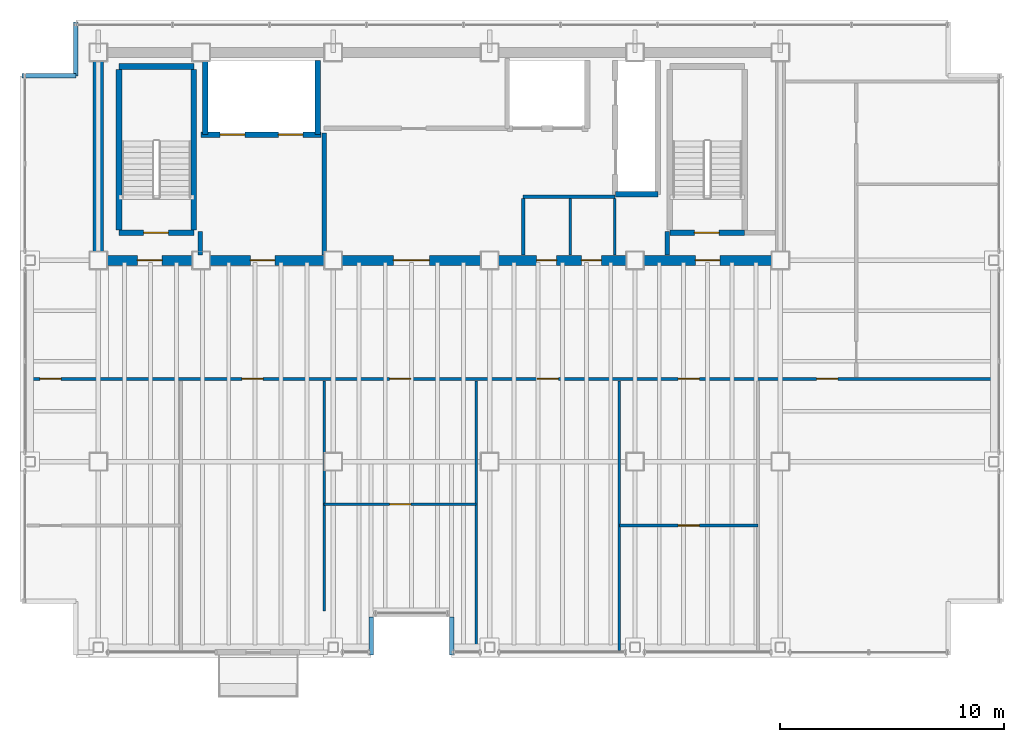
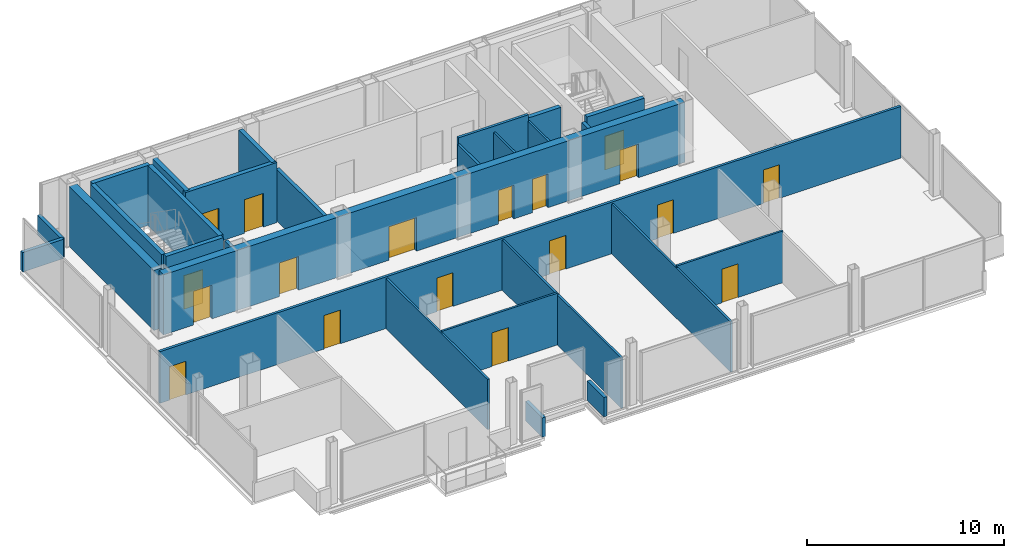
# One storey, part 13 of 15: 28 walls, 18 doors, 18 openings.
"""IFC4 building model written with IfcOpenShell, lengths in metres."""

from ifc_helpers import new_model, si_unit, direction, frame, frame_2d, origin, place, context, subcontext, project, spatial, rectangle, extrude, material, layer, layer_set, type_object, element, fill, save


model = new_model("IFC4")

# Units and contexts
model_context = context("Model", 3, precision=1e-05, world=origin(), true_north=direction((0.0, 1.0)))
body_context = subcontext(model_context, "Body", "Model", "MODEL_VIEW")
ifc_project = project(units=[si_unit("LENGTHUNIT", "METRE"), si_unit("AREAUNIT", "SQUARE_METRE"), si_unit("VOLUMEUNIT", "CUBIC_METRE"), si_unit("PLANEANGLEUNIT", "RADIAN"), si_unit("MASSUNIT", "GRAM", prefix="KILO")], contexts=[model_context])

# Site, building, storey
site_placement = place(None, origin())
site = spatial("IfcSite", under=ifc_project, at=site_placement, CompositionType="ELEMENT")
building_placement = place(site_placement, origin())
building = spatial("IfcBuilding", under=site, at=building_placement, Name="Noeulbin Bourse Tower", CompositionType="ELEMENT")
storey_placement = place(building_placement, frame((0.0, 0.0, 222.800048828125)))
storey = spatial("IfcBuildingStorey", under=building, at=storey_placement, Name="L55", CompositionType="ELEMENT", Elevation=222.800048828125)

# Wall, openings, doors
ifc_material_1 = material(Name="Concrete C50/60", Category="concrete")
ifc_layer_1 = layer(ifc_material_1, 0.449951171875)
ifc_layer_set_1 = layer_set([ifc_layer_1], Name="Concrete C50/60")
wall_type_1 = type_object("IfcWallType", Name="WAL-CORE-450", PredefinedType="SHEAR", material=ifc_layer_set_1)
wall_1_placement = place(storey_placement, frame((13.5, 29.0, 0.0), z_axis=(0.0, 0.0, 1.0), x_axis=(1.0, 0.0, 0.0)))
wall_1 = element("IfcWall", 1, at=wall_1_placement, inside=storey, type_object=wall_type_1, Name="Rear Core South Shear Wall L55", PredefinedType="SHEAR", context=body_context, shape_type="SweptSolid", body=[
    extrude(rectangle(XDim=30.5, YDim=0.449951171875, at=frame_2d((15.25, 0.0))), origin(), (0.0, 0.0, 1.0), 3.719970703125),
])
opening_1_placement = place(wall_1_placement, frame((1.75, 0.0, 0.0)))
opening_1 = element("IfcOpeningElement", 2, at=opening_1_placement, cuts=wall_1, Name="Opening FD-11", PredefinedType="OPENING", context=body_context, shape_type="SweptSolid", body=[
    extrude(rectangle(XDim=1.10009765625, YDim=2.080078125, at=frame_2d((0.550048828125, 1.0400390625))), frame((0.0, 0.23486328125, 0.0), z_axis=(0.0, -1.0, 0.0), x_axis=(1.0, 0.0, 0.0)), (0.0, 0.0, 1.0), 0.469970703125),
])
opening_2_placement = place(wall_1_placement, frame((26.699951171875, 0.0, 0.0)))
opening_2 = element("IfcOpeningElement", 3, at=opening_2_placement, cuts=wall_1, Name="Opening FD-11", PredefinedType="OPENING", context=body_context, shape_type="SweptSolid", body=[
    extrude(rectangle(XDim=1.10009765625, YDim=2.080078125, at=frame_2d((0.550048828125, 1.0400390625))), frame((0.0, 0.23486328125, 0.0), z_axis=(0.0, -1.0, 0.0), x_axis=(1.0, 0.0, 0.0)), (0.0, 0.0, 1.0), 0.469970703125),
])
opening_3_placement = place(wall_1_placement, frame((6.800048828125, 0.0, 0.0)))
opening_3 = element("IfcOpeningElement", 4, at=opening_3_placement, cuts=wall_1, Name="Opening FD-11", PredefinedType="OPENING", context=body_context, shape_type="SweptSolid", body=[
    extrude(rectangle(XDim=1.10009765625, YDim=2.080078125, at=frame_2d((0.550048828125, 1.0400390625))), frame((0.0, 0.23486328125, 0.0), z_axis=(0.0, -1.0, 0.0), x_axis=(1.0, 0.0, 0.0)), (0.0, 0.0, 1.0), 0.469970703125),
])
opening_4_placement = place(wall_1_placement, frame((13.199951171875, 0.0, 0.0)))
opening_4 = element("IfcOpeningElement", 5, at=opening_4_placement, cuts=wall_1, Name="Opening ID-16", PredefinedType="OPENING", context=body_context, shape_type="SweptSolid", body=[
    extrude(rectangle(XDim=1.60009765625, YDim=2.080078125, at=frame_2d((0.800048828125, 1.0400390625))), frame((0.0, 0.23486328125, 0.0), z_axis=(0.0, -1.0, 0.0), x_axis=(1.0, 0.0, 0.0)), (0.0, 0.0, 1.0), 0.469970703125),
])
opening_5_placement = place(wall_1_placement, frame((19.60009765625, 0.0, 0.0)))
opening_5 = element("IfcOpeningElement", 6, at=opening_5_placement, cuts=wall_1, Name="Opening FD-09", PredefinedType="OPENING", context=body_context, shape_type="SweptSolid", body=[
    extrude(rectangle(XDim=0.89990234375, YDim=2.080078125, at=frame_2d((0.449951171875, 1.0400390625))), frame((0.0, 0.23486328125, 0.0), z_axis=(0.0, -1.0, 0.0), x_axis=(1.0, 0.0, 0.0)), (0.0, 0.0, 1.0), 0.469970703125),
])
opening_6_placement = place(wall_1_placement, frame((21.60009765625, 0.0, 0.0)))
opening_6 = element("IfcOpeningElement", 7, at=opening_6_placement, cuts=wall_1, Name="Opening FD-09", PredefinedType="OPENING", context=body_context, shape_type="SweptSolid", body=[
    extrude(rectangle(XDim=0.89990234375, YDim=2.080078125, at=frame_2d((0.449951171875, 1.0400390625))), frame((0.0, 0.23486328125, 0.0), z_axis=(0.0, -1.0, 0.0), x_axis=(1.0, 0.0, 0.0)), (0.0, 0.0, 1.0), 0.469970703125),
])
ifc_material_2 = material(Name="Acoustic Glazed Aluminium", Category="aluminium")
door_type_1 = type_object("IfcDoorType", Name="DR-DBL-1600", OperationType="DOUBLE_DOOR_SINGLE_SWING", PredefinedType="DOOR", material=ifc_material_2)
door_1_placement = place(opening_4_placement, origin())
door_1 = element("IfcDoor", 8, at=door_1_placement, inside=storey, type_object=door_type_1, Name="Passenger Lift Lobby Portal L55", OperationType="DOUBLE_DOOR_SINGLE_SWING", OverallHeight=2.080078125, OverallWidth=1.60009765625, PredefinedType="DOOR", context=body_context, shape_type="SweptSolid", body=[
    extrude(rectangle(XDim=1.60009765625, YDim=2.080078125, at=frame_2d((0.800048828125, 1.0400390625))), frame((0.0, 0.02490234375, 0.0), z_axis=(0.0, -1.0, 0.0), x_axis=(1.0, 0.0, 0.0)), (0.0, 0.0, 1.0), 0.050048828125),
])
fill(opening_4, door_1)
ifc_material_3 = material(Name="Fire-Rated Timber Core", Category="wood")
door_type_2 = type_object("IfcDoorType", Name="DR-FD30-900", OperationType="SINGLE_SWING_RIGHT", PredefinedType="DOOR", material=ifc_material_3)
door_2_placement = place(opening_5_placement, origin())
door_2 = element("IfcDoor", 9, at=door_2_placement, inside=storey, type_object=door_type_2, Name="Interior Door L55-06", OperationType="SINGLE_SWING_LEFT", OverallHeight=2.080078125, OverallWidth=0.89990234375, PredefinedType="DOOR", context=body_context, shape_type="SweptSolid", body=[
    extrude(rectangle(XDim=0.89990234375, YDim=2.080078125, at=frame_2d((0.449951171875, 1.0400390625))), frame((0.0, 0.02490234375, 0.0), z_axis=(0.0, -1.0, 0.0), x_axis=(1.0, 0.0, 0.0)), (0.0, 0.0, 1.0), 0.050048828125),
])
fill(opening_5, door_2)
door_3_placement = place(opening_6_placement, origin())
door_3 = element("IfcDoor", 10, at=door_3_placement, inside=storey, type_object=door_type_2, Name="Interior Door L55-07", OperationType="SINGLE_SWING_RIGHT", OverallHeight=2.080078125, OverallWidth=0.89990234375, PredefinedType="DOOR", context=body_context, shape_type="SweptSolid", body=[
    extrude(rectangle(XDim=0.89990234375, YDim=2.080078125, at=frame_2d((0.449951171875, 1.0400390625))), frame((0.0, 0.02490234375, 0.0), z_axis=(0.0, -1.0, 0.0), x_axis=(1.0, 0.0, 0.0)), (0.0, 0.0, 1.0), 0.050048828125),
])
fill(opening_6, door_3)
ifc_material_4 = material(Name="Fire-Rated Insulated Steel", Category="steel")
door_type_3 = type_object("IfcDoorType", Name="DR-FD60-1100", OperationType="SINGLE_SWING_LEFT", PredefinedType="DOOR", material=ifc_material_4)
door_4_placement = place(opening_1_placement, origin())
door_4 = element("IfcDoor", 11, at=door_4_placement, inside=storey, type_object=door_type_3, Name="West Stair Lobby Door L55", OperationType="SINGLE_SWING_RIGHT", OverallHeight=2.080078125, OverallWidth=1.10009765625, PredefinedType="DOOR", context=body_context, shape_type="SweptSolid", body=[
    extrude(rectangle(XDim=1.10009765625, YDim=2.080078125, at=frame_2d((0.550048828125, 1.0400390625))), frame((0.0, 0.02490234375, 0.0), z_axis=(0.0, -1.0, 0.0), x_axis=(1.0, 0.0, 0.0)), (0.0, 0.0, 1.0), 0.050048828125),
])
fill(opening_1, door_4)
door_5_placement = place(opening_2_placement, origin())
door_5 = element("IfcDoor", 12, at=door_5_placement, inside=storey, type_object=door_type_3, Name="East Stair Lobby Door L55", OperationType="SINGLE_SWING_LEFT", OverallHeight=2.080078125, OverallWidth=1.10009765625, PredefinedType="DOOR", context=body_context, shape_type="SweptSolid", body=[
    extrude(rectangle(XDim=1.10009765625, YDim=2.080078125, at=frame_2d((0.550048828125, 1.0400390625))), frame((0.0, 0.02490234375, 0.0), z_axis=(0.0, -1.0, 0.0), x_axis=(1.0, 0.0, 0.0)), (0.0, 0.0, 1.0), 0.050048828125),
])
fill(opening_2, door_5)
door_6_placement = place(opening_3_placement, origin())
door_6 = element("IfcDoor", 13, at=door_6_placement, inside=storey, type_object=door_type_3, Name="Firefighting Lobby Door L55", OperationType="SINGLE_SWING_RIGHT", OverallHeight=2.080078125, OverallWidth=1.10009765625, PredefinedType="DOOR", context=body_context, shape_type="SweptSolid", body=[
    extrude(rectangle(XDim=1.10009765625, YDim=2.080078125, at=frame_2d((0.550048828125, 1.0400390625))), frame((0.0, 0.02490234375, 0.0), z_axis=(0.0, -1.0, 0.0), x_axis=(1.0, 0.0, 0.0)), (0.0, 0.0, 1.0), 0.050048828125),
])
fill(opening_3, door_6)

# Walls
wall_2_placement = place(storey_placement, frame((13.5, 29.35009765625, 0.0), z_axis=(0.0, 0.0, 1.0), x_axis=(0.0, 1.0, 0.0)))
element("IfcWall", 14, at=wall_2_placement, inside=storey, type_object=wall_type_1, Name="Rear Core West Shear Wall L55", PredefinedType="SHEAR", context=body_context, shape_type="SweptSolid", body=[
    extrude(rectangle(XDim=8.599853515625, YDim=0.449951171875, at=frame_2d((4.2998046875, 0.0))), origin(), (0.0, 0.0, 1.0), 3.719970703125),
])
ifc_material_5 = material(Name="Concrete C40/50", Category="concrete")
ifc_layer_2 = layer(ifc_material_5, 0.199951171875)
ifc_layer_set_2 = layer_set([ifc_layer_2], Name="Concrete C40/50")
wall_type_2 = type_object("IfcWallType", Name="WAL-FIRE-200", PredefinedType="STANDARD", material=ifc_layer_set_2)
for number, where, z_axis, x_axis, name in (
    (15, (18.050048828125, 29.235107421875, 0.0), (0.0, 0.0, 1.0), (0.0, 1.0, 0.0), "Interior Partition Wall L55-10"),
    (16, (38.949951171875, 29.235107421875, 0.0), (0.0, 0.0, 1.0), (0.0, 1.0, 0.0), "Interior Partition Wall L55-11"),
):
    element("IfcWall", number, at=place(storey_placement, frame(where, z_axis=z_axis, x_axis=x_axis)), inside=storey, type_object=wall_type_2, Name=name, PredefinedType="STANDARD", context=body_context, shape_type="SweptSolid", body=[
        extrude(rectangle(XDim=1.06494140625, YDim=0.199951171875, at=frame_2d((0.532470703125, 0.0))), origin(), (0.0, 0.0, 1.0), 3.349853515625),
    ])
wall_3_placement = place(storey_placement, frame((23.60009765625, 29.235107421875, 0.0), z_axis=(0.0, 0.0, 1.0), x_axis=(0.0, 1.0, 0.0)))
element("IfcWall", 17, at=wall_3_placement, inside=storey, type_object=wall_type_2, Name="Interior Partition Wall L55-12", PredefinedType="STANDARD", context=body_context, shape_type="SweptSolid", body=[
    extrude(rectangle(XDim=5.46484375, YDim=0.199951171875, at=frame_2d((2.732421875, 0.0))), origin(), (0.0, 0.0, 1.0), 3.199951171875),
])
ifc_layer_3 = layer(ifc_material_5, 0.199951171875)
ifc_layer_set_3 = layer_set([ifc_layer_3], Name="Concrete C40/50")
wall_type_3 = type_object("IfcWallType", Name="WAL-PAR-200", PredefinedType="PARAPET", material=ifc_layer_set_3)
for number, where, z_axis, x_axis, name in (
    (18, (10.10009765625, 37.25, 0.0), (0.0, 0.0, 1.0), (1.0, 0.0, 0.0), "Corner Notch Parapet L55-NW1"),
    (19, (12.5, 37.25, 0.0), (0.0, 0.0, 1.0), (0.0, 1.0, 0.0), "Corner Notch Parapet L55-NW2"),
):
    element("IfcWall", number, at=place(storey_placement, frame(where, z_axis=z_axis, x_axis=x_axis)), inside=storey, type_object=wall_type_3, Name=name, PredefinedType="PARAPET", context=body_context, shape_type="SweptSolid", body=[
        extrude(rectangle(XDim=2.39990234375, YDim=0.199951171875, at=frame_2d((1.199951171875, 0.0))), origin(), (0.0, 0.0, 1.0), 1.199951171875),
    ])
for number, where, z_axis, x_axis, name in (
    (20, (25.699951171875, 11.35009765625, 0.0), (0.0, 0.0, 1.0), (0.0, 1.0, 0.0), "Sky-Garden Recess Parapet L55-W"),
    (21, (29.300048828125, 13.050048828125, 0.0), (0.0, 0.0, 1.0), (0.0, -1.0, 0.0), "Sky-Garden Recess Parapet L55-E"),
):
    element("IfcWall", number, at=place(storey_placement, frame(where, z_axis=z_axis, x_axis=x_axis)), inside=storey, type_object=wall_type_3, Name=name, PredefinedType="PARAPET", context=body_context, shape_type="SweptSolid", body=[
        extrude(rectangle(XDim=1.699951171875, YDim=0.199951171875, at=frame_2d((0.85009765625, 0.0))), origin(), (0.0, 0.0, 1.0), 1.199951171875),
    ])

# Wall, opening, door
ifc_material_6 = material(Name="Steel Stud Gypsum Partition", Category="steel")
ifc_layer_4 = layer(ifc_material_6, 0.1201171875)
ifc_layer_set_4 = layer_set([ifc_layer_4], Name="Steel Stud Gypsum Partition")
wall_type_4 = type_object("IfcWallType", Name="WAL-PRT-120", PredefinedType="PARTITIONING", material=ifc_layer_set_4)
wall_4_placement = place(storey_placement, frame((23.60009765625, 18.094970703125, 0.0), z_axis=(0.0, 0.0, 1.0), x_axis=(1.0, 0.0, 0.0)))
wall_4 = element("IfcWall", 22, at=wall_4_placement, inside=storey, type_object=wall_type_4, Name="Interior Partition Wall L55-07", PredefinedType="PARTITIONING", context=body_context, shape_type="SweptSolid", body=[
    extrude(rectangle(XDim=6.7998046875, YDim=0.1201171875, at=frame_2d((3.39990234375, 0.0))), origin(), (0.0, 0.0, 1.0), 3.199951171875),
])
opening_7_placement = place(wall_4_placement, frame((2.925048828125, 0.0, 0.0)))
opening_7 = element("IfcOpeningElement", 23, at=opening_7_placement, cuts=wall_4, Name="Opening ID-09", PredefinedType="OPENING", context=body_context, shape_type="SweptSolid", body=[
    extrude(rectangle(XDim=0.949951171875, YDim=2.080078125, at=frame_2d((0.47509765625, 1.0400390625))), frame((0.0, 0.070068359375, 0.0), z_axis=(0.0, -1.0, 0.0), x_axis=(1.0, 0.0, 0.0)), (0.0, 0.0, 1.0), 0.14013671875),
])
ifc_material_7 = material(Name="Acoustic Solid-Core Timber", Category="wood")
door_type_4 = type_object("IfcDoorType", Name="DR-SINGLE-950", OperationType="SINGLE_SWING_LEFT", PredefinedType="DOOR", material=ifc_material_7)
door_7_placement = place(opening_7_placement, origin())
door_7 = element("IfcDoor", 24, at=door_7_placement, inside=storey, type_object=door_type_4, Name="Interior Door L55-11", OperationType="SINGLE_SWING_RIGHT", OverallHeight=2.080078125, OverallWidth=0.949951171875, PredefinedType="DOOR", context=body_context, shape_type="SweptSolid", body=[
    extrude(rectangle(XDim=0.949951171875, YDim=2.080078125, at=frame_2d((0.47509765625, 1.0400390625))), frame((0.0, 0.02490234375, 0.0), z_axis=(0.0, -1.0, 0.0), x_axis=(1.0, 0.0, 0.0)), (0.0, 0.0, 1.0), 0.050048828125),
])
fill(opening_7, door_7)

wall_5_placement = place(storey_placement, frame((36.800048828125, 17.14404296875, 0.0), z_axis=(0.0, 0.0, 1.0), x_axis=(1.0, 0.0, 0.0)))
wall_5 = element("IfcWall", 25, at=wall_5_placement, inside=storey, type_object=wall_type_4, Name="Interior Partition Wall L55-08", PredefinedType="PARTITIONING", context=body_context, shape_type="SweptSolid", body=[
    extrude(rectangle(XDim=6.199951171875, YDim=0.1201171875, at=frame_2d((3.10009765625, 0.0))), origin(), (0.0, 0.0, 1.0), 3.199951171875),
])
opening_8_placement = place(wall_5_placement, frame((2.625, 0.0, 0.0)))
opening_8 = element("IfcOpeningElement", 26, at=opening_8_placement, cuts=wall_5, Name="Opening ID-09", PredefinedType="OPENING", context=body_context, shape_type="SweptSolid", body=[
    extrude(rectangle(XDim=0.949951171875, YDim=2.080078125, at=frame_2d((0.47509765625, 1.0400390625))), frame((0.0, 0.070068359375, 0.0), z_axis=(0.0, -1.0, 0.0), x_axis=(1.0, 0.0, 0.0)), (0.0, 0.0, 1.0), 0.14013671875),
])
door_8_placement = place(opening_8_placement, origin())
door_8 = element("IfcDoor", 27, at=door_8_placement, inside=storey, type_object=door_type_4, Name="Interior Door L55-14", OperationType="SINGLE_SWING_LEFT", OverallHeight=2.080078125, OverallWidth=0.949951171875, PredefinedType="DOOR", context=body_context, shape_type="SweptSolid", body=[
    extrude(rectangle(XDim=0.949951171875, YDim=2.080078125, at=frame_2d((0.47509765625, 1.0400390625))), frame((0.0, 0.02490234375, 0.0), z_axis=(0.0, -1.0, 0.0), x_axis=(1.0, 0.0, 0.0)), (0.0, 0.0, 1.0), 0.050048828125),
])
fill(opening_8, door_8)

# Walls
for number, where, z_axis, x_axis, name in (
    (28, (36.60009765625, 29.235107421875, 0.0), (0.0, 0.0, 1.0), (0.0, 1.0, 0.0), "Interior Partition Wall L55-14"),
    (29, (34.60009765625, 29.235107421875, 0.0), (0.0, 0.0, 1.0), (0.0, 1.0, 0.0), "Interior Partition Wall L55-15"),
):
    element("IfcWall", number, at=place(storey_placement, frame(where, z_axis=z_axis, x_axis=x_axis)), inside=storey, type_object=wall_type_4, Name=name, PredefinedType="PARTITIONING", context=body_context, shape_type="SweptSolid", body=[
        extrude(rectangle(XDim=2.52978515625, YDim=0.1201171875, at=frame_2d((1.264892578125, 0.0))), origin(), (0.0, 0.0, 1.0), 3.349853515625),
    ])
wall_6_placement = place(storey_placement, frame((23.60009765625, 13.320068359375, 0.0), z_axis=(0.0, 0.0, 1.0), x_axis=(0.0, 1.0, 0.0)))
element("IfcWall", 30, at=wall_6_placement, inside=storey, type_object=wall_type_4, Name="Interior Partition Wall L55-18", PredefinedType="PARTITIONING", context=body_context, shape_type="SweptSolid", body=[
    extrude(rectangle(XDim=10.294921875, YDim=0.1201171875, at=frame_2d((5.1474609375, 0.0))), origin(), (0.0, 0.0, 1.0), 3.099853515625),
])
for number, where, z_axis, x_axis, name in (
    (31, (30.39990234375, 11.56005859375, 0.0), (0.0, 0.0, 1.0), (0.0, 1.0, 0.0), "Interior Partition Wall L55-19"),
    (32, (36.800048828125, 11.56005859375, 0.0), (0.0, 0.0, 1.0), (0.0, 1.0, 0.0), "Interior Partition Wall L55-20"),
):
    element("IfcWall", number, at=place(storey_placement, frame(where, z_axis=z_axis, x_axis=x_axis)), inside=storey, type_object=wall_type_4, Name=name, PredefinedType="PARTITIONING", context=body_context, shape_type="SweptSolid", body=[
        extrude(rectangle(XDim=12.054931640625, YDim=0.1201171875, at=frame_2d((6.02734375, 0.0))), origin(), (0.0, 0.0, 1.0), 3.099853515625),
    ])
ifc_material_8 = material(Name="Steel Stud Acoustic Gypsum Board", Category="steel")
ifc_layer_5 = layer(ifc_material_8, 0.14990234375)
ifc_layer_set_5 = layer_set([ifc_layer_5], Name="Steel Stud Acoustic Gypsum Board")
wall_type_5 = type_object("IfcWallType", Name="WAL-PRT-150", PredefinedType="PARTITIONING", material=ifc_layer_set_5)
wall_7_placement = place(storey_placement, frame((32.5, 31.85009765625, 0.0), z_axis=(0.0, 0.0, 1.0), x_axis=(1.0, 0.0, 0.0)))
element("IfcWall", 33, at=wall_7_placement, inside=storey, type_object=wall_type_5, Name="Interior Partition Wall L55-03", PredefinedType="PARTITIONING", context=body_context, shape_type="SweptSolid", body=[
    extrude(rectangle(XDim=4.10009765625, YDim=0.14990234375, at=frame_2d((2.050048828125, 0.0))), origin(), (0.0, 0.0, 1.0), 3.719970703125),
])

# Wall, openings, doors
wall_8_placement = place(storey_placement, frame((10.31005859375, 23.699951171875, 0.0), z_axis=(0.0, 0.0, 1.0), x_axis=(1.0, 0.0, 0.0)))
wall_8 = element("IfcWall", 34, at=wall_8_placement, inside=storey, type_object=wall_type_5, Name="Interior Partition Wall L55-04", PredefinedType="PARTITIONING", context=body_context, shape_type="SweptSolid", body=[
    extrude(rectangle(XDim=43.3798828125, YDim=0.14990234375, at=frame_2d((21.68994140625, 0.0))), origin(), (0.0, 0.0, 1.0), 3.199951171875),
])
opening_9_placement = place(wall_8_placement, frame((0.574951171875, 0.0, 0.0)))
opening_9 = element("IfcOpeningElement", 35, at=opening_9_placement, cuts=wall_8, Name="Opening ID-09", PredefinedType="OPENING", context=body_context, shape_type="SweptSolid", body=[
    extrude(rectangle(XDim=0.949951171875, YDim=2.080078125, at=frame_2d((0.47509765625, 1.0400390625))), frame((0.0, 0.0849609375, 0.0), z_axis=(0.0, -1.0, 0.0), x_axis=(1.0, 0.0, 0.0)), (0.0, 0.0, 1.0), 0.169921875),
])
opening_10_placement = place(wall_8_placement, frame((9.614990234375, 0.0, 0.0)))
opening_10 = element("IfcOpeningElement", 36, at=opening_10_placement, cuts=wall_8, Name="Opening ID-09", PredefinedType="OPENING", context=body_context, shape_type="SweptSolid", body=[
    extrude(rectangle(XDim=0.949951171875, YDim=2.080078125, at=frame_2d((0.47509765625, 1.0400390625))), frame((0.0, 0.0849609375, 0.0), z_axis=(0.0, -1.0, 0.0), x_axis=(1.0, 0.0, 0.0)), (0.0, 0.0, 1.0), 0.169921875),
])
opening_11_placement = place(wall_8_placement, frame((16.215087890625, 0.0, 0.0)))
opening_11 = element("IfcOpeningElement", 37, at=opening_11_placement, cuts=wall_8, Name="Opening ID-09", PredefinedType="OPENING", context=body_context, shape_type="SweptSolid", body=[
    extrude(rectangle(XDim=0.949951171875, YDim=2.080078125, at=frame_2d((0.47509765625, 1.0400390625))), frame((0.0, 0.0849609375, 0.0), z_axis=(0.0, -1.0, 0.0), x_axis=(1.0, 0.0, 0.0)), (0.0, 0.0, 1.0), 0.169921875),
])
opening_12_placement = place(wall_8_placement, frame((22.81494140625, 0.0, 0.0)))
opening_12 = element("IfcOpeningElement", 38, at=opening_12_placement, cuts=wall_8, Name="Opening ID-09", PredefinedType="OPENING", context=body_context, shape_type="SweptSolid", body=[
    extrude(rectangle(XDim=0.949951171875, YDim=2.080078125, at=frame_2d((0.47509765625, 1.0400390625))), frame((0.0, 0.0849609375, 0.0), z_axis=(0.0, -1.0, 0.0), x_axis=(1.0, 0.0, 0.0)), (0.0, 0.0, 1.0), 0.169921875),
])
opening_13_placement = place(wall_8_placement, frame((29.114990234375, 0.0, 0.0)))
opening_13 = element("IfcOpeningElement", 39, at=opening_13_placement, cuts=wall_8, Name="Opening ID-09", PredefinedType="OPENING", context=body_context, shape_type="SweptSolid", body=[
    extrude(rectangle(XDim=0.949951171875, YDim=2.080078125, at=frame_2d((0.47509765625, 1.0400390625))), frame((0.0, 0.0849609375, 0.0), z_axis=(0.0, -1.0, 0.0), x_axis=(1.0, 0.0, 0.0)), (0.0, 0.0, 1.0), 0.169921875),
])
opening_14_placement = place(wall_8_placement, frame((35.31494140625, 0.0, 0.0)))
opening_14 = element("IfcOpeningElement", 40, at=opening_14_placement, cuts=wall_8, Name="Opening ID-09", PredefinedType="OPENING", context=body_context, shape_type="SweptSolid", body=[
    extrude(rectangle(XDim=0.949951171875, YDim=2.080078125, at=frame_2d((0.47509765625, 1.0400390625))), frame((0.0, 0.0849609375, 0.0), z_axis=(0.0, -1.0, 0.0), x_axis=(1.0, 0.0, 0.0)), (0.0, 0.0, 1.0), 0.169921875),
])
door_9_placement = place(opening_9_placement, origin())
door_9 = element("IfcDoor", 41, at=door_9_placement, inside=storey, type_object=door_type_4, Name="Interior Door L55-09", OperationType="SINGLE_SWING_RIGHT", OverallHeight=2.080078125, OverallWidth=0.949951171875, PredefinedType="DOOR", context=body_context, shape_type="SweptSolid", body=[
    extrude(rectangle(XDim=0.949951171875, YDim=2.080078125, at=frame_2d((0.47509765625, 1.0400390625))), frame((0.0, 0.02490234375, 0.0), z_axis=(0.0, -1.0, 0.0), x_axis=(1.0, 0.0, 0.0)), (0.0, 0.0, 1.0), 0.050048828125),
])
fill(opening_9, door_9)
door_10_placement = place(opening_10_placement, origin())
door_10 = element("IfcDoor", 42, at=door_10_placement, inside=storey, type_object=door_type_4, Name="Interior Door L55-10", OperationType="SINGLE_SWING_LEFT", OverallHeight=2.080078125, OverallWidth=0.949951171875, PredefinedType="DOOR", context=body_context, shape_type="SweptSolid", body=[
    extrude(rectangle(XDim=0.949951171875, YDim=2.080078125, at=frame_2d((0.47509765625, 1.0400390625))), frame((0.0, 0.02490234375, 0.0), z_axis=(0.0, -1.0, 0.0), x_axis=(1.0, 0.0, 0.0)), (0.0, 0.0, 1.0), 0.050048828125),
])
fill(opening_10, door_10)
door_11_placement = place(opening_11_placement, origin())
door_11 = element("IfcDoor", 43, at=door_11_placement, inside=storey, type_object=door_type_4, Name="Interior Door L55-12", OperationType="SINGLE_SWING_LEFT", OverallHeight=2.080078125, OverallWidth=0.949951171875, PredefinedType="DOOR", context=body_context, shape_type="SweptSolid", body=[
    extrude(rectangle(XDim=0.949951171875, YDim=2.080078125, at=frame_2d((0.47509765625, 1.0400390625))), frame((0.0, 0.02490234375, 0.0), z_axis=(0.0, -1.0, 0.0), x_axis=(1.0, 0.0, 0.0)), (0.0, 0.0, 1.0), 0.050048828125),
])
fill(opening_11, door_11)
door_12_placement = place(opening_12_placement, origin())
door_12 = element("IfcDoor", 44, at=door_12_placement, inside=storey, type_object=door_type_4, Name="Interior Door L55-13", OperationType="SINGLE_SWING_RIGHT", OverallHeight=2.080078125, OverallWidth=0.949951171875, PredefinedType="DOOR", context=body_context, shape_type="SweptSolid", body=[
    extrude(rectangle(XDim=0.949951171875, YDim=2.080078125, at=frame_2d((0.47509765625, 1.0400390625))), frame((0.0, 0.02490234375, 0.0), z_axis=(0.0, -1.0, 0.0), x_axis=(1.0, 0.0, 0.0)), (0.0, 0.0, 1.0), 0.050048828125),
])
fill(opening_12, door_12)
door_13_placement = place(opening_13_placement, origin())
door_13 = element("IfcDoor", 45, at=door_13_placement, inside=storey, type_object=door_type_4, Name="Interior Door L55-15", OperationType="SINGLE_SWING_RIGHT", OverallHeight=2.080078125, OverallWidth=0.949951171875, PredefinedType="DOOR", context=body_context, shape_type="SweptSolid", body=[
    extrude(rectangle(XDim=0.949951171875, YDim=2.080078125, at=frame_2d((0.47509765625, 1.0400390625))), frame((0.0, 0.02490234375, 0.0), z_axis=(0.0, -1.0, 0.0), x_axis=(1.0, 0.0, 0.0)), (0.0, 0.0, 1.0), 0.050048828125),
])
fill(opening_13, door_13)
door_14_placement = place(opening_14_placement, origin())
door_14 = element("IfcDoor", 46, at=door_14_placement, inside=storey, type_object=door_type_4, Name="Interior Door L55-16", OperationType="SINGLE_SWING_LEFT", OverallHeight=2.080078125, OverallWidth=0.949951171875, PredefinedType="DOOR", context=body_context, shape_type="SweptSolid", body=[
    extrude(rectangle(XDim=0.949951171875, YDim=2.080078125, at=frame_2d((0.47509765625, 1.0400390625))), frame((0.0, 0.02490234375, 0.0), z_axis=(0.0, -1.0, 0.0), x_axis=(1.0, 0.0, 0.0)), (0.0, 0.0, 1.0), 0.050048828125),
])
fill(opening_14, door_14)

# Wall
wall_9_placement = place(storey_placement, frame((32.5, 29.235107421875, 0.0), z_axis=(0.0, 0.0, 1.0), x_axis=(0.0, 1.0, 0.0)))
element("IfcWall", 47, at=wall_9_placement, inside=storey, type_object=wall_type_5, Name="Interior Partition Wall L55-13", PredefinedType="PARTITIONING", context=body_context, shape_type="SweptSolid", body=[
    extrude(rectangle(XDim=2.52978515625, YDim=0.14990234375, at=frame_2d((1.264892578125, 0.0))), origin(), (0.0, 0.0, 1.0), 3.349853515625),
])

# Wall, opening, door
ifc_layer_6 = layer(ifc_material_5, 0.25)
ifc_layer_set_6 = layer_set([ifc_layer_6], Name="Concrete C40/50")
wall_type_6 = type_object("IfcWallType", Name="WAL-SHFT-250", PredefinedType="STANDARD", material=ifc_layer_set_6)
wall_10_placement = place(storey_placement, frame((14.429931640625, 30.235107421875, 0.0), z_axis=(0.0, 0.0, 1.0), x_axis=(1.0, 0.0, 0.0)))
wall_10 = element("IfcWall", 48, at=wall_10_placement, inside=storey, type_object=wall_type_6, Name="Stair ST-1 South Shaft Wall L55", PredefinedType="STANDARD", context=body_context, shape_type="SweptSolid", body=[
    extrude(rectangle(XDim=3.340087890625, YDim=0.25, at=frame_2d((1.669921875, 0.0))), origin(), (0.0, 0.0, 1.0), 3.719970703125),
])
opening_15_placement = place(wall_10_placement, frame((1.10009765625, 0.0, 0.0)))
opening_15 = element("IfcOpeningElement", 49, at=opening_15_placement, cuts=wall_10, Name="Opening FD-11", PredefinedType="OPENING", context=body_context, shape_type="SweptSolid", body=[
    extrude(rectangle(XDim=1.10009765625, YDim=2.080078125, at=frame_2d((0.550048828125, 1.0400390625))), frame((0.0, 0.135009765625, 0.0), z_axis=(0.0, -1.0, 0.0), x_axis=(1.0, 0.0, 0.0)), (0.0, 0.0, 1.0), 0.27001953125),
])
door_15_placement = place(opening_15_placement, origin())
door_15 = element("IfcDoor", 50, at=door_15_placement, inside=storey, type_object=door_type_3, Name="Protected Stair Entry Door ST1-L55", OperationType="SINGLE_SWING_RIGHT", OverallHeight=2.080078125, OverallWidth=1.10009765625, PredefinedType="DOOR", context=body_context, shape_type="SweptSolid", body=[
    extrude(rectangle(XDim=1.10009765625, YDim=2.080078125, at=frame_2d((0.550048828125, 1.0400390625))), frame((0.0, 0.02490234375, 0.0), z_axis=(0.0, -1.0, 0.0), x_axis=(1.0, 0.0, 0.0)), (0.0, 0.0, 1.0), 0.050048828125),
])
fill(opening_15, door_15)

# Walls
wall_11_placement = place(storey_placement, frame((14.429931640625, 37.6689453125, 0.0), z_axis=(0.0, 0.0, 1.0), x_axis=(1.0, 0.0, 0.0)))
element("IfcWall", 51, at=wall_11_placement, inside=storey, type_object=wall_type_6, Name="Stair ST-1 North Shaft Wall L55", PredefinedType="STANDARD", context=body_context, shape_type="SweptSolid", body=[
    extrude(rectangle(XDim=3.340087890625, YDim=0.25, at=frame_2d((1.669921875, 0.0))), origin(), (0.0, 0.0, 1.0), 3.719970703125),
])
for number, where, z_axis, x_axis, name in (
    (52, (14.425048828125, 30.360107421875, 0.0), (0.0, 0.0, 1.0), (0.0, 1.0, 0.0), "Stair ST-1 West Shaft Wall L55"),
    (53, (17.77490234375, 30.360107421875, 0.0), (0.0, 0.0, 1.0), (0.0, 1.0, 0.0), "Stair ST-1 East Shaft Wall L55"),
):
    element("IfcWall", number, at=place(storey_placement, frame(where, z_axis=z_axis, x_axis=x_axis)), inside=storey, type_object=wall_type_6, Name=name, PredefinedType="STANDARD", context=body_context, shape_type="SweptSolid", body=[
        extrude(rectangle(XDim=7.183837890625, YDim=0.25, at=frame_2d((3.591796875, 0.0))), origin(), (0.0, 0.0, 1.0), 3.719970703125),
    ])

# Wall, opening, door
wall_12_placement = place(storey_placement, frame((39.06005859375, 30.235107421875, 0.0), z_axis=(0.0, 0.0, 1.0), x_axis=(1.0, 0.0, 0.0)))
wall_12 = element("IfcWall", 54, at=wall_12_placement, inside=storey, type_object=wall_type_6, Name="Stair ST-2 South Shaft Wall L55", PredefinedType="STANDARD", context=body_context, shape_type="SweptSolid", body=[
    extrude(rectangle(XDim=3.33984375, YDim=0.25, at=frame_2d((1.669921875, 0.0))), origin(), (0.0, 0.0, 1.0), 3.719970703125),
])
opening_16_placement = place(wall_12_placement, frame((1.10009765625, 0.0, 0.0)))
opening_16 = element("IfcOpeningElement", 55, at=opening_16_placement, cuts=wall_12, Name="Opening FD-11", PredefinedType="OPENING", context=body_context, shape_type="SweptSolid", body=[
    extrude(rectangle(XDim=1.10009765625, YDim=2.080078125, at=frame_2d((0.550048828125, 1.0400390625))), frame((0.0, 0.135009765625, 0.0), z_axis=(0.0, -1.0, 0.0), x_axis=(1.0, 0.0, 0.0)), (0.0, 0.0, 1.0), 0.27001953125),
])
door_16_placement = place(opening_16_placement, origin())
door_16 = element("IfcDoor", 56, at=door_16_placement, inside=storey, type_object=door_type_3, Name="Protected Stair Entry Door ST2-L55", OperationType="SINGLE_SWING_LEFT", OverallHeight=2.080078125, OverallWidth=1.10009765625, PredefinedType="DOOR", context=body_context, shape_type="SweptSolid", body=[
    extrude(rectangle(XDim=1.10009765625, YDim=2.080078125, at=frame_2d((0.550048828125, 1.0400390625))), frame((0.0, 0.02490234375, 0.0), z_axis=(0.0, -1.0, 0.0), x_axis=(1.0, 0.0, 0.0)), (0.0, 0.0, 1.0), 0.050048828125),
])
fill(opening_16, door_16)

# Wall, openings, doors
wall_13_placement = place(storey_placement, frame((18.10009765625, 34.6201171875, 0.0), z_axis=(0.0, 0.0, 1.0), x_axis=(1.0, 0.0, 0.0)))
wall_13 = element("IfcWall", 57, at=wall_13_placement, inside=storey, type_object=wall_type_6, Name="Firefighting Lift Shaft Front L55", PredefinedType="STANDARD", context=body_context, shape_type="SweptSolid", body=[
    extrude(rectangle(XDim=5.349853515625, YDim=0.25, at=frame_2d((2.6748046875, 0.0))), origin(), (0.0, 0.0, 1.0), 3.719970703125),
])
opening_17_placement = place(wall_13_placement, frame((0.85009765625, 0.0, 0.0)))
opening_17 = element("IfcOpeningElement", 58, at=opening_17_placement, cuts=wall_13, Name="Opening LD-11", PredefinedType="OPENING", context=body_context, shape_type="SweptSolid", body=[
    extrude(rectangle(XDim=1.10009765625, YDim=2.080078125, at=frame_2d((0.550048828125, 1.0400390625))), frame((0.0, 0.135009765625, 0.0), z_axis=(0.0, -1.0, 0.0), x_axis=(1.0, 0.0, 0.0)), (0.0, 0.0, 1.0), 0.27001953125),
])
opening_18_placement = place(wall_13_placement, frame((3.449951171875, 0.0, 0.0)))
opening_18 = element("IfcOpeningElement", 59, at=opening_18_placement, cuts=wall_13, Name="Opening LD-11", PredefinedType="OPENING", context=body_context, shape_type="SweptSolid", body=[
    extrude(rectangle(XDim=1.10009765625, YDim=2.080078125, at=frame_2d((0.550048828125, 1.0400390625))), frame((0.0, 0.135009765625, 0.0), z_axis=(0.0, -1.0, 0.0), x_axis=(1.0, 0.0, 0.0)), (0.0, 0.0, 1.0), 0.27001953125),
])
ifc_material_9 = material(Name="Brushed Stainless Steel 316", Category="steel")
door_type_5 = type_object("IfcDoorType", Name="DR-LIFT-1100", OperationType="SLIDING_TO_LEFT", PredefinedType="DOOR", material=ifc_material_9)
door_17_placement = place(opening_17_placement, origin())
door_17 = element("IfcDoor", 60, at=door_17_placement, inside=storey, type_object=door_type_5, Name="Lift Landing Door LD-FL-01-L55", OperationType="SLIDING_TO_LEFT", OverallHeight=2.080078125, OverallWidth=1.10009765625, PredefinedType="DOOR", context=body_context, shape_type="SweptSolid", body=[
    extrude(rectangle(XDim=1.10009765625, YDim=2.080078125, at=frame_2d((0.550048828125, 1.0400390625))), frame((0.0, 0.02490234375, 0.0), z_axis=(0.0, -1.0, 0.0), x_axis=(1.0, 0.0, 0.0)), (0.0, 0.0, 1.0), 0.050048828125),
])
fill(opening_17, door_17)
door_18_placement = place(opening_18_placement, origin())
door_18 = element("IfcDoor", 61, at=door_18_placement, inside=storey, type_object=door_type_5, Name="Lift Landing Door LD-FL-02-L55", OperationType="SLIDING_TO_LEFT", OverallHeight=2.080078125, OverallWidth=1.10009765625, PredefinedType="DOOR", context=body_context, shape_type="SweptSolid", body=[
    extrude(rectangle(XDim=1.10009765625, YDim=2.080078125, at=frame_2d((0.550048828125, 1.0400390625))), frame((0.0, 0.02490234375, 0.0), z_axis=(0.0, -1.0, 0.0), x_axis=(1.0, 0.0, 0.0)), (0.0, 0.0, 1.0), 0.050048828125),
])
fill(opening_18, door_18)

# Walls
wall_14_placement = place(storey_placement, frame((36.6201171875, 31.949951171875, 0.0), z_axis=(0.0, 0.0, 1.0), x_axis=(1.0, 0.0, 0.0)))
element("IfcWall", 62, at=wall_14_placement, inside=storey, type_object=wall_type_6, Name="Service Lift South Shaft Wall L55", PredefinedType="STANDARD", context=body_context, shape_type="SweptSolid", body=[
    extrude(rectangle(XDim=1.89990234375, YDim=0.25, at=frame_2d((0.949951171875, 0.0))), origin(), (0.0, 0.0, 1.0), 3.47998046875),
])
for number, where, z_axis, x_axis, name in (
    (63, (18.280029296875, 34.6201171875, 0.0), (0.0, 0.0, 1.0), (0.0, 1.0, 0.0), "Firefighting Lift West Shaft Wall L55"),
    (64, (23.320068359375, 34.6201171875, 0.0), (0.0, 0.0, 1.0), (0.0, 1.0, 0.0), "Firefighting Lift East Shaft Wall L55"),
):
    element("IfcWall", number, at=place(storey_placement, frame(where, z_axis=z_axis, x_axis=x_axis)), inside=storey, type_object=wall_type_6, Name=name, PredefinedType="STANDARD", context=body_context, shape_type="SweptSolid", body=[
        extrude(rectangle(XDim=3.329833984375, YDim=0.25, at=frame_2d((1.6650390625, 0.0))), origin(), (0.0, 0.0, 1.0), 3.719970703125),
    ])

save(model, "model.ifc")
